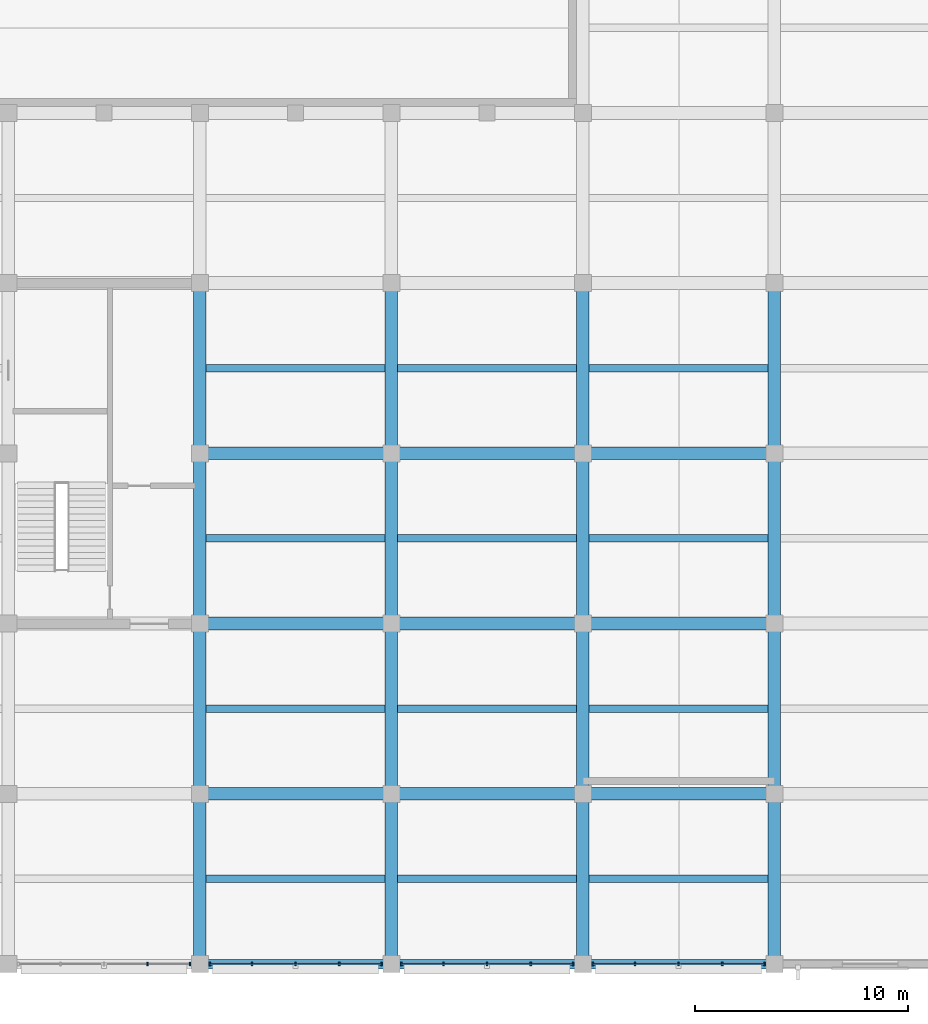
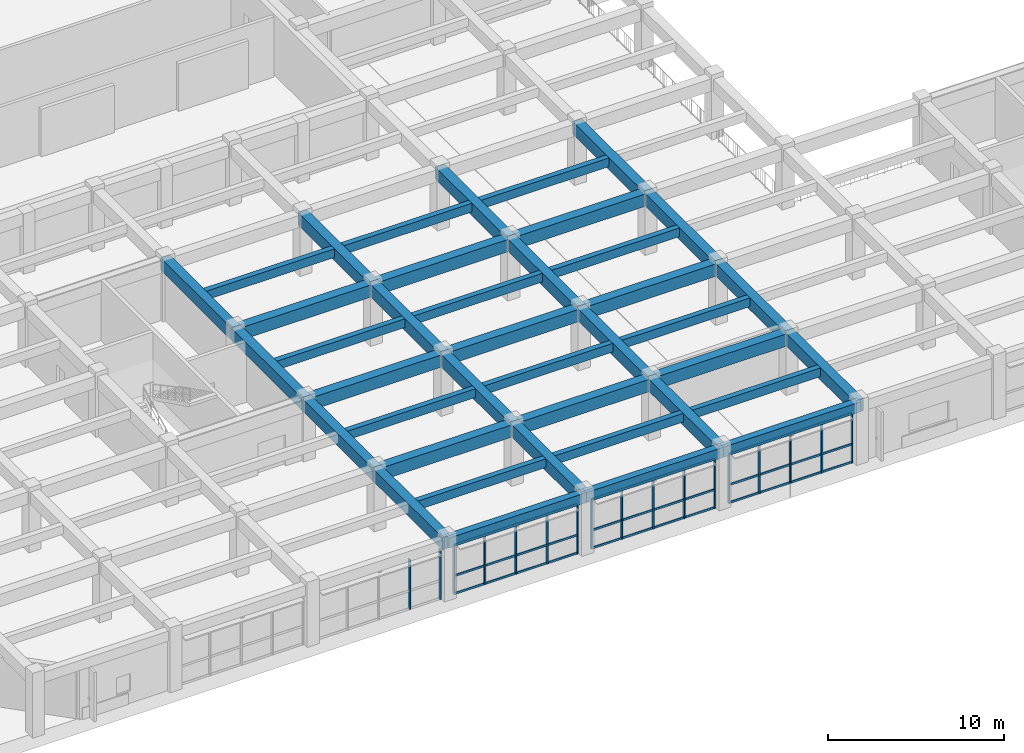
# One storey, part 5 of 50: 40 beams, 26 members, 4 elements without a shape of their own.
"""IFC4 building model written with IfcOpenShell, lengths in metres."""

import ifcopenshell
import ifcopenshell.guid

model = None  # the IFC model being written
_history = None  # IfcOwnerHistory: only IFC2X3 demands one
_inside = {}  # id of a spatial element -> (the spatial element, [elements in it])
_under = {}  # id of a project, library or spatial element -> (it, [spatial elements below it])
_declared = {}  # id of a project -> (the project, [libraries it declares])
_typed = {}  # id of a type object -> (the type object, [elements of that type])
_made_of = {}  # id of a material, layer set ... -> (it, [elements and type objects made of it])


def new_model(schema):
    """Start an empty IFC model of exactly this schema.

    Asked for "IFC4X3", IfcOpenShell would pick the latest addendum, in which some entities
    have other attributes; the version numbers below select the first issue.
    IFC2X3 requires an IfcOwnerHistory on every rooted entity: one is made here for all.
    """
    global model, _history
    if schema == "IFC4X3":
        model = ifcopenshell.file(schema_version=(4, 3, 0, 0))
    else:
        model = ifcopenshell.file(schema=schema)
    _inside.clear()
    _under.clear()
    _declared.clear()
    _typed.clear()
    _made_of.clear()
    _history = None
    if model.schema == "IFC2X3":
        org = make("IfcOrganization", Name="unknown")
        user = make(
            "IfcPersonAndOrganization",
            ThePerson=make("IfcPerson", FamilyName="unknown"),
            TheOrganization=org,
        )
        app = make(
            "IfcApplication",
            ApplicationDeveloper=org,
            Version="unknown",
            ApplicationFullName="unknown",
            ApplicationIdentifier="unknown",
        )
        _history = make(
            "IfcOwnerHistory",
            OwningUser=user,
            OwningApplication=app,
            ChangeAction="ADDED",
            CreationDate=0,
        )
    return model


def make(cls, **values):
    """One entity of the class cls with the attributes given. An attribute that is None is left unset."""
    return model.create_entity(
        cls, **{name: value for name, value in values.items() if value is not None}
    )


def rooted(cls, **values):
    """An entity with a GlobalId (a new one), such as an element, a storey or a relation."""
    return make(cls, GlobalId=ifcopenshell.guid.new(), OwnerHistory=_history, **values)


def si_unit(unit_type, name, prefix=None):
    """IfcSIUnit, for example si_unit("LENGTHUNIT", "METRE", prefix="MILLI")."""
    return make("IfcSIUnit", UnitType=unit_type, Prefix=prefix, Name=name)


def assignment(units):
    """IfcUnitAssignment: the units of a project."""
    return None if units is None else make("IfcUnitAssignment", Units=units)


def point(xyz):
    """IfcCartesianPoint."""
    return None if xyz is None else make("IfcCartesianPoint", Coordinates=xyz)


def direction(xyz):
    """IfcDirection."""
    return None if xyz is None else make("IfcDirection", DirectionRatios=xyz)


def frame(location, z_axis=None, x_axis=None):
    """IfcAxis2Placement3D, a coordinate frame: its origin and axes. An axis left out is left unset."""
    return make(
        "IfcAxis2Placement3D",
        Location=point(location),
        Axis=direction(z_axis),
        RefDirection=direction(x_axis),
    )


def frame_2d(location, x_axis=None):
    """IfcAxis2Placement2D, a coordinate frame in the plane: its origin and x axis."""
    return make(
        "IfcAxis2Placement2D", Location=point(location), RefDirection=direction(x_axis)
    )


def origin():
    """The frame at (0, 0, 0) with its axes left unset."""
    return frame((0.0, 0.0, 0.0))


def origin_2d():
    """The frame at (0, 0) in the plane with its x axis left unset."""
    return frame_2d((0.0, 0.0))


def place(relative_to, where):
    """IfcLocalPlacement: puts the frame where relative to a parent placement (None: the world)."""
    return make(
        "IfcLocalPlacement", PlacementRelTo=relative_to, RelativePlacement=where
    )


def context(
    kind, dimensions, precision=None, world=None, true_north=None, identifier=None
):
    """IfcGeometricRepresentationContext, for example the 3D "Model" context."""
    return make(
        "IfcGeometricRepresentationContext",
        ContextIdentifier=identifier,
        ContextType=kind,
        CoordinateSpaceDimension=dimensions,
        Precision=precision,
        WorldCoordinateSystem=world,
        TrueNorth=true_north,
    )


def subcontext(parent, identifier, kind, view, scale=None):
    """IfcGeometricRepresentationSubContext, for example "Body" below "Model"."""
    return make(
        "IfcGeometricRepresentationSubContext",
        ContextIdentifier=identifier,
        ContextType=kind,
        ParentContext=parent,
        TargetScale=scale,
        TargetView=view,
    )


def project(units=None, contexts=None):
    """IfcProject with its units and contexts."""
    return rooted(
        "IfcProject",
        Name="project",
        RepresentationContexts=contexts,
        UnitsInContext=assignment(units),
    )


def spatial(cls, under=None, at=None, **own):
    """A site, building, storey or space (cls), placed at a placement, below another one or the project."""
    s = rooted(cls, ObjectPlacement=at, **own)
    if under is not None:
        _under.setdefault(under.id(), (under, []))[1].append(s)
    return s


def profile(cls, at=None, kind="AREA", **sizes):
    """A parametric profile (cls). Its sizes go by their IFC names, for example OverallWidth=200.0."""
    return make(cls, ProfileType=kind, Position=at, **sizes)


def rectangle(**sizes):
    """IfcRectangleProfileDef."""
    return profile("IfcRectangleProfileDef", **sizes)


def extrude(swept, where, along, depth):
    """IfcExtrudedAreaSolid: the profile swept, set in the frame where, extruded along a direction by depth."""
    return make(
        "IfcExtrudedAreaSolid",
        SweptArea=swept,
        Position=where,
        ExtrudedDirection=direction(along),
        Depth=depth,
    )


def shape(context_of_items, identifier, shape_type, items):
    """IfcShapeRepresentation: the items that make up one representation, for example the "Body"."""
    return make(
        "IfcShapeRepresentation",
        ContextOfItems=context_of_items,
        RepresentationIdentifier=identifier,
        RepresentationType=shape_type,
        Items=items,
    )


def material(Name=None, Category=None):
    """IfcMaterial."""
    return make("IfcMaterial", Name=Name, Category=Category)


def material_profile(
    of_material, cross_section, Name=None, Category=None, Priority=None
):
    """IfcMaterialProfile: a cross section and its material."""
    return make(
        "IfcMaterialProfile",
        Name=Name,
        Material=of_material,
        Profile=cross_section,
        Priority=Priority,
        Category=Category,
    )


def profile_set(profiles, Name=None, composite=None):
    """IfcMaterialProfileSet."""
    return make(
        "IfcMaterialProfileSet",
        Name=Name,
        MaterialProfiles=profiles,
        CompositeProfile=composite,
    )


def made_of(thing, what):
    """Note that an element or type object is made of a material, layer set ...; save() writes the relation."""
    if what is not None:
        _made_of.setdefault(what.id(), (what, []))[1].append(thing)
    return thing


def type_object(cls, material=None, **own):
    """A type object (cls), such as IfcWallType, which elements share."""
    return made_of(rooted(cls, **own), material)


def element(
    cls,
    number,
    at=None,
    inside=None,
    cuts=None,
    type_object=None,
    material=None,
    context=None,
    identifier="Body",
    shape_type=None,
    held_by="IfcProductDefinitionShape",
    body=None,
    shapes=None,
    **own,
):
    """One element of the class cls, such as IfcWall. Its Tag is "e" and its number.

    at: its placement. inside: the storey or other place that contains it. cuts: it is an
    opening in that element (IfcRelVoidsElement). A single representation is given by context,
    identifier, shape_type and body (its items); several are given by shapes. held_by: the class
    of the entity that holds the representations. save() writes the other relations.
    """
    e = rooted(cls, Tag="e%d" % number, ObjectPlacement=at, **own)
    if body is not None:
        shapes = [shape(context, identifier, shape_type, body)]
    if shapes is not None:
        e.Representation = make(held_by, Representations=shapes)
    if inside is not None:
        _inside.setdefault(inside.id(), (inside, []))[1].append(e)
    if cuts is not None:
        rooted(
            "IfcRelVoidsElement", RelatingBuildingElement=cuts, RelatedOpeningElement=e
        )
    if type_object is not None:
        _typed.setdefault(type_object.id(), (type_object, []))[1].append(e)
    return made_of(e, material)


def aggregate(whole, parts):
    """IfcRelAggregates: a whole, such as a stair, and the parts it consists of."""
    return rooted("IfcRelAggregates", RelatingObject=whole, RelatedObjects=parts)


def save(model, path):
    """Write the relations noted so far, then the file.

    IfcRelAggregates (storeys below a building ...), IfcRelContainedInSpatialStructure (elements
    in a storey), IfcRelDefinesByType, IfcRelAssociatesMaterial and IfcRelDeclares: one each for
    every whole, place, type object, material and project.
    """
    for whole, parts in _under.values():
        aggregate(whole, parts)
    for where, things in _inside.values():
        rooted(
            "IfcRelContainedInSpatialStructure",
            RelatedElements=things,
            RelatingStructure=where,
        )
    for kind, things in _typed.values():
        rooted("IfcRelDefinesByType", RelatedObjects=things, RelatingType=kind)
    for what, things in _made_of.values():
        rooted("IfcRelAssociatesMaterial", RelatedObjects=things, RelatingMaterial=what)
    for by, libraries in _declared.values():
        rooted("IfcRelDeclares", RelatingContext=by, RelatedDefinitions=libraries)
    model.write(path)


model = new_model("IFC4")

# Units and contexts
model_context = context("Model", 3, precision=1e-05, world=origin(), true_north=direction((0.0, 1.0)))
body_context = subcontext(model_context, "Body", "Model", "MODEL_VIEW")
ifc_project = project(units=[si_unit("LENGTHUNIT", "METRE"), si_unit("AREAUNIT", "SQUARE_METRE"), si_unit("VOLUMEUNIT", "CUBIC_METRE"), si_unit("PLANEANGLEUNIT", "RADIAN"), si_unit("MASSUNIT", "GRAM", prefix="KILO")], contexts=[model_context])

# Site, building, storey
site_placement = place(None, origin())
site = spatial("IfcSite", under=ifc_project, at=site_placement, CompositionType="ELEMENT")
building_placement = place(site_placement, origin())
building = spatial("IfcBuilding", under=site, at=building_placement, Name="Zaverband Oceanarium and Marine Research Institute", CompositionType="ELEMENT")
storey_placement = place(building_placement, frame((0.0, 0.0, 4.5)))
storey = spatial("IfcBuildingStorey", under=building, at=storey_placement, Name="L01", CompositionType="ELEMENT", Elevation=4.5)

# Beams
ifc_material_1 = material(Name="Concrete C40/50", Category="concrete")
ifc_material_profile_1 = material_profile(ifc_material_1, rectangle(XDim=0.60009765625, YDim=0.85009765625, at=origin_2d()), Name="RC600x850")
ifc_profile_set_1 = profile_set([ifc_material_profile_1], Name="Concrete C40/50")
beam_type_1 = type_object("IfcBeamType", Name="BM-600x850", PredefinedType="BEAM", material=ifc_profile_set_1)
for number, where, z_axis, x_axis, name in (
    (1, (36.0, 8.0, 3.7548828125), (1.0, 0.0, 0.0), (0.0, 1.0, 0.0), "Primary floor girder BM-600x850"),
    (2, (45.0, 8.0, 3.7548828125), (1.0, 0.0, 0.0), (0.0, 1.0, 0.0), "Primary floor girder BM-600x850"),
    (3, (54.0, 8.0, 3.7548828125), (1.0, 0.0, 0.0), (0.0, 1.0, 0.0), "Primary floor girder BM-600x850"),
    (4, (36.0, 16.0, 3.7548828125), (1.0, 0.0, 0.0), (0.0, 1.0, 0.0), "Primary floor girder BM-600x850"),
    (5, (45.0, 16.0, 3.7548828125), (1.0, 0.0, 0.0), (0.0, 1.0, 0.0), "Primary floor girder BM-600x850"),
    (6, (54.0, 16.0, 3.7548828125), (1.0, 0.0, 0.0), (0.0, 1.0, 0.0), "Primary floor girder BM-600x850"),
    (7, (36.0, 24.0, 3.7548828125), (1.0, 0.0, 0.0), (0.0, 1.0, 0.0), "Primary floor girder BM-600x850"),
    (8, (45.0, 24.0, 3.7548828125), (1.0, 0.0, 0.0), (0.0, 1.0, 0.0), "Primary floor girder BM-600x850"),
    (9, (54.0, 24.0, 3.7548828125), (1.0, 0.0, 0.0), (0.0, 1.0, 0.0), "Primary floor girder BM-600x850"),
):
    element("IfcBeam", number, at=place(storey_placement, frame(where, z_axis=z_axis, x_axis=x_axis)), inside=storey, type_object=beam_type_1, Name=name, PredefinedType="BEAM", context=body_context, shape_type="SweptSolid", body=[
        extrude(rectangle(XDim=0.60009765625, YDim=0.85009765625, at=origin_2d()), origin(), (0.0, 0.0, 1.0), 9.0),
    ])
for number, where, z_axis, x_axis, name in (
    (10, (36.0, 0.0, 3.7548828125), (0.0, 1.0, 0.0), (-1.0, 0.0, 0.0), "Primary floor girder BM-600x850"),
    (11, (36.0, 8.0, 3.7548828125), (0.0, 1.0, 0.0), (-1.0, 0.0, 0.0), "Primary floor girder BM-600x850"),
    (12, (36.0, 16.0, 3.7548828125), (0.0, 1.0, 0.0), (-1.0, 0.0, 0.0), "Primary floor girder BM-600x850"),
    (13, (36.0, 24.0, 3.7548828125), (0.0, 1.0, 0.0), (-1.0, 0.0, 0.0), "Primary floor girder BM-600x850"),
    (14, (45.0, 0.0, 3.7548828125), (0.0, 1.0, 0.0), (-1.0, 0.0, 0.0), "Primary floor girder BM-600x850"),
    (15, (45.0, 8.0, 3.7548828125), (0.0, 1.0, 0.0), (-1.0, 0.0, 0.0), "Primary floor girder BM-600x850"),
    (16, (45.0, 16.0, 3.7548828125), (0.0, 1.0, 0.0), (-1.0, 0.0, 0.0), "Primary floor girder BM-600x850"),
    (17, (45.0, 24.0, 3.7548828125), (0.0, 1.0, 0.0), (-1.0, 0.0, 0.0), "Primary floor girder BM-600x850"),
    (18, (54.0, 0.0, 3.7548828125), (0.0, 1.0, 0.0), (-1.0, 0.0, 0.0), "Primary floor girder BM-600x850"),
    (19, (54.0, 8.0, 3.7548828125), (0.0, 1.0, 0.0), (-1.0, 0.0, 0.0), "Primary floor girder BM-600x850"),
    (20, (54.0, 16.0, 3.7548828125), (0.0, 1.0, 0.0), (-1.0, 0.0, 0.0), "Primary floor girder BM-600x850"),
    (21, (54.0, 24.0, 3.7548828125), (0.0, 1.0, 0.0), (-1.0, 0.0, 0.0), "Primary floor girder BM-600x850"),
    (22, (63.0, 0.0, 3.7548828125), (0.0, 1.0, 0.0), (-1.0, 0.0, 0.0), "Primary floor girder BM-600x850"),
    (23, (63.0, 8.0, 3.7548828125), (0.0, 1.0, 0.0), (-1.0, 0.0, 0.0), "Primary floor girder BM-600x850"),
    (24, (63.0, 16.0, 3.7548828125), (0.0, 1.0, 0.0), (-1.0, 0.0, 0.0), "Primary floor girder BM-600x850"),
    (25, (63.0, 24.0, 3.7548828125), (0.0, 1.0, 0.0), (-1.0, 0.0, 0.0), "Primary floor girder BM-600x850"),
):
    element("IfcBeam", number, at=place(storey_placement, frame(where, z_axis=z_axis, x_axis=x_axis)), inside=storey, type_object=beam_type_1, Name=name, PredefinedType="BEAM", context=body_context, shape_type="SweptSolid", body=[
        extrude(rectangle(XDim=0.60009765625, YDim=0.85009765625, at=origin_2d()), origin(), (0.0, 0.0, 1.0), 8.0),
    ])
ifc_material_profile_2 = material_profile(ifc_material_1, rectangle(XDim=0.35009765625, YDim=0.60009765625, at=origin_2d()), Name="RC350x600")
ifc_profile_set_2 = profile_set([ifc_material_profile_2], Name="Concrete C40/50")
beam_type_2 = type_object("IfcBeamType", Name="JST-350x600", PredefinedType="JOIST", material=ifc_profile_set_2)
for number, where, z_axis, x_axis, name in (
    (26, (36.300048828125, 4.0, 3.8798828125), (1.0, 0.0, 0.0), (0.0, 1.0, 0.0), "Secondary floor joist JST-350x600"),
    (27, (36.300048828125, 12.0, 3.8798828125), (1.0, 0.0, 0.0), (0.0, 1.0, 0.0), "Secondary floor joist JST-350x600"),
    (28, (36.300048828125, 20.0, 3.8798828125), (1.0, 0.0, 0.0), (0.0, 1.0, 0.0), "Secondary floor joist JST-350x600"),
    (29, (36.300048828125, 28.0, 3.8798828125), (1.0, 0.0, 0.0), (0.0, 1.0, 0.0), "Secondary floor joist JST-350x600"),
    (30, (45.300048828125, 4.0, 3.8798828125), (1.0, 0.0, 0.0), (0.0, 1.0, 0.0), "Secondary floor joist JST-350x600"),
    (31, (45.300048828125, 12.0, 3.8798828125), (1.0, 0.0, 0.0), (0.0, 1.0, 0.0), "Secondary floor joist JST-350x600"),
    (32, (45.300048828125, 20.0, 3.8798828125), (1.0, 0.0, 0.0), (0.0, 1.0, 0.0), "Secondary floor joist JST-350x600"),
    (33, (45.300048828125, 28.0, 3.8798828125), (1.0, 0.0, 0.0), (0.0, 1.0, 0.0), "Secondary floor joist JST-350x600"),
    (34, (54.300048828125, 4.0, 3.8798828125), (1.0, 0.0, 0.0), (0.0, 1.0, 0.0), "Secondary floor joist JST-350x600"),
    (35, (54.300048828125, 12.0, 3.8798828125), (1.0, 0.0, 0.0), (0.0, 1.0, 0.0), "Secondary floor joist JST-350x600"),
    (36, (54.300048828125, 20.0, 3.8798828125), (1.0, 0.0, 0.0), (0.0, 1.0, 0.0), "Secondary floor joist JST-350x600"),
    (37, (54.300048828125, 28.0, 3.8798828125), (1.0, 0.0, 0.0), (0.0, 1.0, 0.0), "Secondary floor joist JST-350x600"),
):
    element("IfcBeam", number, at=place(storey_placement, frame(where, z_axis=z_axis, x_axis=x_axis)), inside=storey, type_object=beam_type_2, Name=name, PredefinedType="JOIST", context=body_context, shape_type="SweptSolid", body=[
        extrude(rectangle(XDim=0.35009765625, YDim=0.60009765625, at=origin_2d()), origin(), (0.0, 0.0, 1.0), 8.39990234375),
    ])

# Curtain wall, members
ifc_material_2 = material(Name="Thermally broken anodized aluminium and solar-control glass", Category="aluminium")
curtain_wall_type = type_object("IfcCurtainWallType", Name="CW-UNIT-1800", PredefinedType="NOTDEFINED", material=ifc_material_2)
curtain_wall_1_placement = place(storey_placement, origin())
curtain_wall_1 = element("IfcCurtainWall", 38, at=curtain_wall_1_placement, inside=storey, type_object=curtain_wall_type, Name="Unitised glazed curtain wall CW-013", PredefinedType="NOTDEFINED")
ifc_material_3 = material(Name="Thermally broken anodized aluminium", Category="aluminium")
ifc_material_profile_3 = material_profile(ifc_material_3, rectangle(XDim=0.080078125, YDim=0.179931640625, at=origin_2d()), Name="AL-MUL-80x180")
ifc_profile_set_3 = profile_set([ifc_material_profile_3], Name="Thermally broken anodized aluminium")
member_type_1 = type_object("IfcMemberType", Name="MUL-80x180", PredefinedType="MULLION", material=ifc_profile_set_3)
member_1_placement = place(storey_placement, frame((33.547607421875, 0.0, 0.0), z_axis=(0.0, 0.0, 1.0), x_axis=(1.0, 0.0, 0.0)))
member_1 = element("IfcMember", 39, at=member_1_placement, type_object=member_type_1, Name="Curtain wall vertical mullion MUL-80x180", PredefinedType="MULLION", context=body_context, shape_type="SweptSolid", body=[
    extrude(rectangle(XDim=0.080078125, YDim=0.179931640625, at=origin_2d()), origin(), (0.0, 0.0, 1.0), 3.4599609375),
])
member_2_placement = place(storey_placement, frame((35.534912109375, 0.0, 0.0), z_axis=(0.0, 0.0, 1.0), x_axis=(1.0, 0.0, 0.0)))
member_2 = element("IfcMember", 40, at=member_2_placement, type_object=member_type_1, Name="Curtain wall vertical mullion MUL-80x180", PredefinedType="MULLION", context=body_context, shape_type="SweptSolid", body=[
    extrude(rectangle(XDim=0.080078125, YDim=0.179931640625, at=origin_2d()), origin(), (0.0, 0.0, 1.0), 3.4599609375),
])
aggregate(curtain_wall_1, [member_1, member_2])

curtain_wall_2_placement = place(storey_placement, origin())
curtain_wall_2 = element("IfcCurtainWall", 41, at=curtain_wall_2_placement, inside=storey, type_object=curtain_wall_type, Name="Unitised glazed curtain wall CW-014", PredefinedType="NOTDEFINED")
member_3_placement = place(storey_placement, frame((36.465087890625, 0.0, 0.0), z_axis=(0.0, 0.0, 1.0), x_axis=(1.0, 0.0, 0.0)))
member_3 = element("IfcMember", 42, at=member_3_placement, type_object=member_type_1, Name="Curtain wall vertical mullion MUL-80x180", PredefinedType="MULLION", context=body_context, shape_type="SweptSolid", body=[
    extrude(rectangle(XDim=0.080078125, YDim=0.179931640625, at=origin_2d()), origin(), (0.0, 0.0, 1.0), 3.4599609375),
])
member_4_placement = place(storey_placement, frame((38.452392578125, 0.0, 0.0), z_axis=(0.0, 0.0, 1.0), x_axis=(1.0, 0.0, 0.0)))
member_4 = element("IfcMember", 43, at=member_4_placement, type_object=member_type_1, Name="Curtain wall vertical mullion MUL-80x180", PredefinedType="MULLION", context=body_context, shape_type="SweptSolid", body=[
    extrude(rectangle(XDim=0.080078125, YDim=0.179931640625, at=origin_2d()), origin(), (0.0, 0.0, 1.0), 3.4599609375),
])
member_5_placement = place(storey_placement, frame((40.5, 0.0, 0.0), z_axis=(0.0, 0.0, 1.0), x_axis=(1.0, 0.0, 0.0)))
member_5 = element("IfcMember", 44, at=member_5_placement, type_object=member_type_1, Name="Curtain wall vertical mullion MUL-80x180", PredefinedType="MULLION", context=body_context, shape_type="SweptSolid", body=[
    extrude(rectangle(XDim=0.080078125, YDim=0.179931640625, at=origin_2d()), origin(), (0.0, 0.0, 1.0), 3.4599609375),
])
member_6_placement = place(storey_placement, frame((42.547607421875, 0.0, 0.0), z_axis=(0.0, 0.0, 1.0), x_axis=(1.0, 0.0, 0.0)))
member_6 = element("IfcMember", 45, at=member_6_placement, type_object=member_type_1, Name="Curtain wall vertical mullion MUL-80x180", PredefinedType="MULLION", context=body_context, shape_type="SweptSolid", body=[
    extrude(rectangle(XDim=0.080078125, YDim=0.179931640625, at=origin_2d()), origin(), (0.0, 0.0, 1.0), 3.4599609375),
])
member_7_placement = place(storey_placement, frame((44.534912109375, 0.0, 0.0), z_axis=(0.0, 0.0, 1.0), x_axis=(1.0, 0.0, 0.0)))
member_7 = element("IfcMember", 46, at=member_7_placement, type_object=member_type_1, Name="Curtain wall vertical mullion MUL-80x180", PredefinedType="MULLION", context=body_context, shape_type="SweptSolid", body=[
    extrude(rectangle(XDim=0.080078125, YDim=0.179931640625, at=origin_2d()), origin(), (0.0, 0.0, 1.0), 3.4599609375),
])

curtain_wall_3_placement = place(storey_placement, origin())
curtain_wall_3 = element("IfcCurtainWall", 47, at=curtain_wall_3_placement, inside=storey, type_object=curtain_wall_type, Name="Unitised glazed curtain wall CW-015", PredefinedType="NOTDEFINED")
member_8_placement = place(storey_placement, frame((45.465087890625, 0.0, 0.0), z_axis=(0.0, 0.0, 1.0), x_axis=(1.0, 0.0, 0.0)))
member_8 = element("IfcMember", 48, at=member_8_placement, type_object=member_type_1, Name="Curtain wall vertical mullion MUL-80x180", PredefinedType="MULLION", context=body_context, shape_type="SweptSolid", body=[
    extrude(rectangle(XDim=0.080078125, YDim=0.179931640625, at=origin_2d()), origin(), (0.0, 0.0, 1.0), 3.4599609375),
])
member_9_placement = place(storey_placement, frame((47.452392578125, 0.0, 0.0), z_axis=(0.0, 0.0, 1.0), x_axis=(1.0, 0.0, 0.0)))
member_9 = element("IfcMember", 49, at=member_9_placement, type_object=member_type_1, Name="Curtain wall vertical mullion MUL-80x180", PredefinedType="MULLION", context=body_context, shape_type="SweptSolid", body=[
    extrude(rectangle(XDim=0.080078125, YDim=0.179931640625, at=origin_2d()), origin(), (0.0, 0.0, 1.0), 3.4599609375),
])
member_10_placement = place(storey_placement, frame((49.5, 0.0, 0.0), z_axis=(0.0, 0.0, 1.0), x_axis=(1.0, 0.0, 0.0)))
member_10 = element("IfcMember", 50, at=member_10_placement, type_object=member_type_1, Name="Curtain wall vertical mullion MUL-80x180", PredefinedType="MULLION", context=body_context, shape_type="SweptSolid", body=[
    extrude(rectangle(XDim=0.080078125, YDim=0.179931640625, at=origin_2d()), origin(), (0.0, 0.0, 1.0), 3.4599609375),
])
member_11_placement = place(storey_placement, frame((51.547607421875, 0.0, 0.0), z_axis=(0.0, 0.0, 1.0), x_axis=(1.0, 0.0, 0.0)))
member_11 = element("IfcMember", 51, at=member_11_placement, type_object=member_type_1, Name="Curtain wall vertical mullion MUL-80x180", PredefinedType="MULLION", context=body_context, shape_type="SweptSolid", body=[
    extrude(rectangle(XDim=0.080078125, YDim=0.179931640625, at=origin_2d()), origin(), (0.0, 0.0, 1.0), 3.4599609375),
])
member_12_placement = place(storey_placement, frame((53.534912109375, 0.0, 0.0), z_axis=(0.0, 0.0, 1.0), x_axis=(1.0, 0.0, 0.0)))
member_12 = element("IfcMember", 52, at=member_12_placement, type_object=member_type_1, Name="Curtain wall vertical mullion MUL-80x180", PredefinedType="MULLION", context=body_context, shape_type="SweptSolid", body=[
    extrude(rectangle(XDim=0.080078125, YDim=0.179931640625, at=origin_2d()), origin(), (0.0, 0.0, 1.0), 3.4599609375),
])

curtain_wall_4_placement = place(storey_placement, origin())
curtain_wall_4 = element("IfcCurtainWall", 53, at=curtain_wall_4_placement, inside=storey, type_object=curtain_wall_type, Name="Unitised glazed curtain wall CW-016", PredefinedType="NOTDEFINED")
member_13_placement = place(storey_placement, frame((54.465087890625, 0.0, 0.0), z_axis=(0.0, 0.0, 1.0), x_axis=(1.0, 0.0, 0.0)))
member_13 = element("IfcMember", 54, at=member_13_placement, type_object=member_type_1, Name="Curtain wall vertical mullion MUL-80x180", PredefinedType="MULLION", context=body_context, shape_type="SweptSolid", body=[
    extrude(rectangle(XDim=0.080078125, YDim=0.179931640625, at=origin_2d()), origin(), (0.0, 0.0, 1.0), 3.4599609375),
])
member_14_placement = place(storey_placement, frame((56.452392578125, 0.0, 0.0), z_axis=(0.0, 0.0, 1.0), x_axis=(1.0, 0.0, 0.0)))
member_14 = element("IfcMember", 55, at=member_14_placement, type_object=member_type_1, Name="Curtain wall vertical mullion MUL-80x180", PredefinedType="MULLION", context=body_context, shape_type="SweptSolid", body=[
    extrude(rectangle(XDim=0.080078125, YDim=0.179931640625, at=origin_2d()), origin(), (0.0, 0.0, 1.0), 3.4599609375),
])
member_15_placement = place(storey_placement, frame((58.5, 0.0, 0.0), z_axis=(0.0, 0.0, 1.0), x_axis=(1.0, 0.0, 0.0)))
member_15 = element("IfcMember", 56, at=member_15_placement, type_object=member_type_1, Name="Curtain wall vertical mullion MUL-80x180", PredefinedType="MULLION", context=body_context, shape_type="SweptSolid", body=[
    extrude(rectangle(XDim=0.080078125, YDim=0.179931640625, at=origin_2d()), origin(), (0.0, 0.0, 1.0), 3.4599609375),
])
member_16_placement = place(storey_placement, frame((60.547607421875, 0.0, 0.0), z_axis=(0.0, 0.0, 1.0), x_axis=(1.0, 0.0, 0.0)))
member_16 = element("IfcMember", 57, at=member_16_placement, type_object=member_type_1, Name="Curtain wall vertical mullion MUL-80x180", PredefinedType="MULLION", context=body_context, shape_type="SweptSolid", body=[
    extrude(rectangle(XDim=0.080078125, YDim=0.179931640625, at=origin_2d()), origin(), (0.0, 0.0, 1.0), 3.4599609375),
])
member_17_placement = place(storey_placement, frame((62.534912109375, 0.0, 0.0), z_axis=(0.0, 0.0, 1.0), x_axis=(1.0, 0.0, 0.0)))
member_17 = element("IfcMember", 58, at=member_17_placement, type_object=member_type_1, Name="Curtain wall vertical mullion MUL-80x180", PredefinedType="MULLION", context=body_context, shape_type="SweptSolid", body=[
    extrude(rectangle(XDim=0.080078125, YDim=0.179931640625, at=origin_2d()), origin(), (0.0, 0.0, 1.0), 3.4599609375),
])

# Beams
ifc_material_profile_4 = material_profile(ifc_material_1, rectangle(XDim=0.449951171875, YDim=0.699951171875, at=origin_2d()), Name="RC450x700")
ifc_profile_set_4 = profile_set([ifc_material_profile_4], Name="Concrete C40/50")
beam_type_3 = type_object("IfcBeamType", Name="SPN-450x700", PredefinedType="SPANDREL", material=ifc_profile_set_4)
for number, where, z_axis, x_axis, name in (
    (59, (36.0, 0.0, 3.830078125), (1.0, 0.0, 0.0), (0.0, 1.0, 0.0), "Perimeter spandrel beam SPN-450x700"),
    (60, (45.0, 0.0, 3.830078125), (1.0, 0.0, 0.0), (0.0, 1.0, 0.0), "Perimeter spandrel beam SPN-450x700"),
    (61, (54.0, 0.0, 3.830078125), (1.0, 0.0, 0.0), (0.0, 1.0, 0.0), "Perimeter spandrel beam SPN-450x700"),
):
    element("IfcBeam", number, at=place(storey_placement, frame(where, z_axis=z_axis, x_axis=x_axis)), inside=storey, type_object=beam_type_3, Name=name, PredefinedType="SPANDREL", context=body_context, shape_type="SweptSolid", body=[
        extrude(rectangle(XDim=0.449951171875, YDim=0.699951171875, at=origin_2d()), origin(), (0.0, 0.0, 1.0), 9.0),
    ])

# Member
ifc_material_profile_5 = material_profile(ifc_material_3, rectangle(XDim=0.080078125, YDim=0.139892578125, at=origin_2d()), Name="AL-TRN-80x140")
ifc_profile_set_5 = profile_set([ifc_material_profile_5], Name="Thermally broken anodized aluminium")
member_type_2 = type_object("IfcMemberType", Name="TRN-80x140", PredefinedType="USERDEFINED", material=ifc_profile_set_5)
member_18_placement = place(storey_placement, frame((36.465087890625, 0.0, 0.050048828125), z_axis=(1.0, 0.0, 0.0), x_axis=(0.0, 1.0, 0.0)))
member_18 = element("IfcMember", 62, at=member_18_placement, type_object=member_type_2, Name="Curtain wall horizontal transom TRN-80x140", ObjectType="TRANSOM", PredefinedType="USERDEFINED", context=body_context, shape_type="SweptSolid", body=[
    extrude(rectangle(XDim=0.080078125, YDim=0.139892578125, at=origin_2d()), origin(), (0.0, 0.0, 1.0), 8.06982421875),
])

member_19_placement = place(storey_placement, frame((36.465087890625, 0.0, 1.291015625), z_axis=(1.0, 0.0, 0.0), x_axis=(0.0, 1.0, 0.0)))
member_19 = element("IfcMember", 63, at=member_19_placement, type_object=member_type_2, Name="Curtain wall horizontal transom TRN-80x140", ObjectType="TRANSOM", PredefinedType="USERDEFINED", context=body_context, shape_type="SweptSolid", body=[
    extrude(rectangle(XDim=0.080078125, YDim=0.139892578125, at=origin_2d()), origin(), (0.0, 0.0, 1.0), 8.06982421875),
])

member_20_placement = place(storey_placement, frame((36.465087890625, 0.0, 3.409912109375), z_axis=(1.0, 0.0, 0.0), x_axis=(0.0, 1.0, 0.0)))
member_20 = element("IfcMember", 64, at=member_20_placement, type_object=member_type_2, Name="Curtain wall horizontal transom TRN-80x140", ObjectType="TRANSOM", PredefinedType="USERDEFINED", context=body_context, shape_type="SweptSolid", body=[
    extrude(rectangle(XDim=0.080078125, YDim=0.139892578125, at=origin_2d()), origin(), (0.0, 0.0, 1.0), 8.06982421875),
])

aggregate(curtain_wall_2, [member_3, member_4, member_5, member_6, member_7, member_18, member_19, member_20])

member_21_placement = place(storey_placement, frame((45.465087890625, 0.0, 0.050048828125), z_axis=(1.0, 0.0, 0.0), x_axis=(0.0, 1.0, 0.0)))
member_21 = element("IfcMember", 65, at=member_21_placement, type_object=member_type_2, Name="Curtain wall horizontal transom TRN-80x140", ObjectType="TRANSOM", PredefinedType="USERDEFINED", context=body_context, shape_type="SweptSolid", body=[
    extrude(rectangle(XDim=0.080078125, YDim=0.139892578125, at=origin_2d()), origin(), (0.0, 0.0, 1.0), 8.06982421875),
])

member_22_placement = place(storey_placement, frame((45.465087890625, 0.0, 1.291015625), z_axis=(1.0, 0.0, 0.0), x_axis=(0.0, 1.0, 0.0)))
member_22 = element("IfcMember", 66, at=member_22_placement, type_object=member_type_2, Name="Curtain wall horizontal transom TRN-80x140", ObjectType="TRANSOM", PredefinedType="USERDEFINED", context=body_context, shape_type="SweptSolid", body=[
    extrude(rectangle(XDim=0.080078125, YDim=0.139892578125, at=origin_2d()), origin(), (0.0, 0.0, 1.0), 8.06982421875),
])

member_23_placement = place(storey_placement, frame((45.465087890625, 0.0, 3.409912109375), z_axis=(1.0, 0.0, 0.0), x_axis=(0.0, 1.0, 0.0)))
member_23 = element("IfcMember", 67, at=member_23_placement, type_object=member_type_2, Name="Curtain wall horizontal transom TRN-80x140", ObjectType="TRANSOM", PredefinedType="USERDEFINED", context=body_context, shape_type="SweptSolid", body=[
    extrude(rectangle(XDim=0.080078125, YDim=0.139892578125, at=origin_2d()), origin(), (0.0, 0.0, 1.0), 8.06982421875),
])

aggregate(curtain_wall_3, [member_8, member_9, member_10, member_11, member_12, member_21, member_22, member_23])

member_24_placement = place(storey_placement, frame((54.465087890625, 0.0, 0.050048828125), z_axis=(1.0, 0.0, 0.0), x_axis=(0.0, 1.0, 0.0)))
member_24 = element("IfcMember", 68, at=member_24_placement, type_object=member_type_2, Name="Curtain wall horizontal transom TRN-80x140", ObjectType="TRANSOM", PredefinedType="USERDEFINED", context=body_context, shape_type="SweptSolid", body=[
    extrude(rectangle(XDim=0.080078125, YDim=0.139892578125, at=origin_2d()), origin(), (0.0, 0.0, 1.0), 8.06982421875),
])

member_25_placement = place(storey_placement, frame((54.465087890625, 0.0, 1.291015625), z_axis=(1.0, 0.0, 0.0), x_axis=(0.0, 1.0, 0.0)))
member_25 = element("IfcMember", 69, at=member_25_placement, type_object=member_type_2, Name="Curtain wall horizontal transom TRN-80x140", ObjectType="TRANSOM", PredefinedType="USERDEFINED", context=body_context, shape_type="SweptSolid", body=[
    extrude(rectangle(XDim=0.080078125, YDim=0.139892578125, at=origin_2d()), origin(), (0.0, 0.0, 1.0), 8.06982421875),
])

member_26_placement = place(storey_placement, frame((54.465087890625, 0.0, 3.409912109375), z_axis=(1.0, 0.0, 0.0), x_axis=(0.0, 1.0, 0.0)))
member_26 = element("IfcMember", 70, at=member_26_placement, type_object=member_type_2, Name="Curtain wall horizontal transom TRN-80x140", ObjectType="TRANSOM", PredefinedType="USERDEFINED", context=body_context, shape_type="SweptSolid", body=[
    extrude(rectangle(XDim=0.080078125, YDim=0.139892578125, at=origin_2d()), origin(), (0.0, 0.0, 1.0), 8.06982421875),
])

aggregate(curtain_wall_4, [member_13, member_14, member_15, member_16, member_17, member_24, member_25, member_26])

save(model, "model.ifc")
